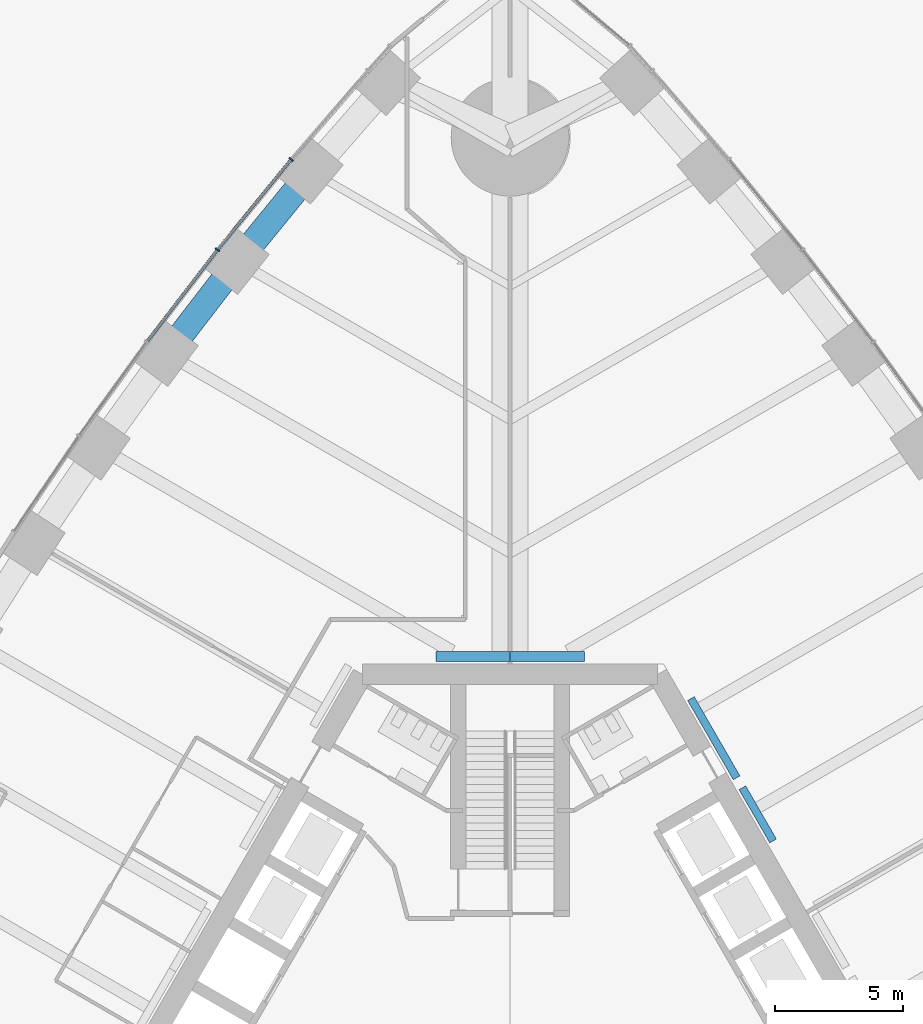
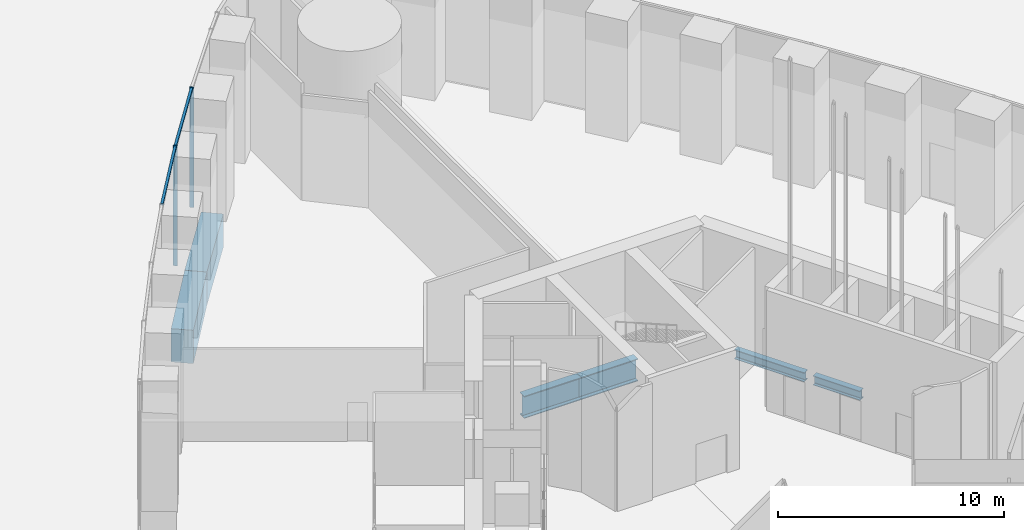
# One storey, part 8 of 43: 6 beams, 4 members, 1 element without a shape of its own.
"""IFC4 building model written with IfcOpenShell, lengths in metres."""

from ifc_helpers import new_model, si_unit, direction, frame, origin, origin_2d, place, context, subcontext, project, spatial, rectangle, i_section, extrude, material, material_profile, profile_set, type_object, element, aggregate, save


model = new_model("IFC4")

# Units and contexts
model_context = context("Model", 3, precision=1e-05, world=origin(), true_north=direction((0.0, 1.0)))
body_context = subcontext(model_context, "Body", "Model", "MODEL_VIEW")
ifc_project = project(units=[si_unit("LENGTHUNIT", "METRE"), si_unit("AREAUNIT", "SQUARE_METRE"), si_unit("VOLUMEUNIT", "CUBIC_METRE"), si_unit("PLANEANGLEUNIT", "RADIAN"), si_unit("MASSUNIT", "GRAM", prefix="KILO")], contexts=[model_context])

# Site, building, storey
site_placement = place(None, origin())
site = spatial("IfcSite", under=ifc_project, at=site_placement, CompositionType="ELEMENT")
building_placement = place(site_placement, origin())
building = spatial("IfcBuilding", under=site, at=building_placement, Name="Trefoil Bronze Tower", CompositionType="ELEMENT")
storey_placement = place(building_placement, origin())
storey = spatial("IfcBuildingStorey", under=building, at=storey_placement, Name="L00", CompositionType="ELEMENT", Elevation=0.0)

# Curtain wall, members
ifc_material_1 = material(Name="Tinted solar-control glass", Category="glass")
curtain_wall_type = type_object("IfcCurtainWallType", Name="Bronze podium storefront curtain wall", PredefinedType="USERDEFINED", material=ifc_material_1)
curtain_wall_placement = place(storey_placement, origin())
curtain_wall = element("IfcCurtainWall", 1, at=curtain_wall_placement, inside=storey, type_object=curtain_wall_type, Name="CW-C L00 F3 run 1", ObjectType="CURTAIN WALL", PredefinedType="USERDEFINED")
ifc_material_2 = material(Name="Bronze-finish aluminium", Category="aluminium")
ifc_material_profile_1 = material_profile(ifc_material_2, rectangle(XDim=0.199951171875, YDim=0.06005859375, at=origin_2d()), Name="CW-C mullion")
ifc_profile_set_1 = profile_set([ifc_material_profile_1], Name="Bronze-finish aluminium")
member_type_1 = type_object("IfcMemberType", Name="Bronze podium storefront curtain wall mullion", PredefinedType="MULLION", material=ifc_profile_set_1)
member_1_placement = place(storey_placement, frame((-8.556640625, 36.13720703125, 0.0), z_axis=(0.0, 0.0, 1.0), x_axis=(0.765729101889, -0.643163231629, 0.0)))
member_1 = element("IfcMember", 2, at=member_1_placement, type_object=member_type_1, Name="CW-C L00 F3 run 1 mullion 3", PredefinedType="MULLION", context=body_context, shape_type="SweptSolid", body=[
    extrude(rectangle(XDim=0.199951171875, YDim=0.06005859375, at=origin_2d()), origin(), (0.0, 0.0, 1.0), 6.47998046875),
])
member_2_placement = place(storey_placement, frame((-11.4384765625, 32.6015625, 0.0), z_axis=(0.0, 0.0, 1.0), x_axis=(0.784304615744, -0.620375910011, 0.0)))
member_2 = element("IfcMember", 3, at=member_2_placement, type_object=member_type_1, Name="CW-C L00 F3 run 1 mullion 4", PredefinedType="MULLION", context=body_context, shape_type="SweptSolid", body=[
    extrude(rectangle(XDim=0.199951171875, YDim=0.06005859375, at=origin_2d()), origin(), (0.0, 0.0, 1.0), 6.47998046875),
])
ifc_material_3 = material(Name="Bronze-finish aluminium", Category="aluminium")
ifc_material_profile_2 = material_profile(ifc_material_3, rectangle(XDim=0.1201171875, YDim=0.10009765625, at=origin_2d()), Name="CW-C transom")
ifc_profile_set_2 = profile_set([ifc_material_profile_2], Name="Bronze-finish aluminium")
member_type_2 = type_object("IfcMemberType", Name="Bronze podium storefront curtain wall transom", PredefinedType="USERDEFINED", material=ifc_profile_set_2)
member_3_placement = place(storey_placement, frame((-8.576416015625, 36.11279296875, 6.429931640625), z_axis=(-0.631829981334, -0.77510700854, 0.0), x_axis=(0.77510700854, -0.631829981334, 0.0)))
member_3 = element("IfcMember", 4, at=member_3_placement, type_object=member_type_2, Name="CW-C L00 F3 run 1 transom 3", ObjectType="TRANSOM", PredefinedType="USERDEFINED", context=body_context, shape_type="SweptSolid", body=[
    extrude(rectangle(XDim=0.1201171875, YDim=0.10009765625, at=origin_2d()), origin(), (0.0, 0.0, 1.0), 4.49853515625),
])
member_4_placement = place(storey_placement, frame((-11.457763671875, 32.57666015625, 6.429931640625), z_axis=(-0.608806818405, -0.79331850972, 0.0), x_axis=(0.79331850972, -0.608806818405, 0.0)))
member_4 = element("IfcMember", 5, at=member_4_placement, type_object=member_type_2, Name="CW-C L00 F3 run 1 transom 4", ObjectType="TRANSOM", PredefinedType="USERDEFINED", context=body_context, shape_type="SweptSolid", body=[
    extrude(rectangle(XDim=0.1201171875, YDim=0.10009765625, at=origin_2d()), origin(), (0.0, 0.0, 1.0), 4.47900390625),
])
aggregate(curtain_wall, [member_1, member_2, member_3, member_4])

# Beams
ifc_material_4 = material(Name="Steel C355", Category="steel")
ifc_material_profile_3 = material_profile(ifc_material_4, i_section(OverallWidth=0.300048828125, OverallDepth=0.5, WebThickness=0.014404296875, FlangeThickness=0.028076171875, FilletRadius=0.027099609375, at=origin_2d()), Name="HEB 500")
ifc_profile_set_3 = profile_set([ifc_material_profile_3], Name="Steel C355")
beam_type_1 = type_object("IfcBeamType", Name="Core seat beam HEB 500", PredefinedType="BEAM", material=ifc_profile_set_3)
beam_1_placement = place(storey_placement, frame((10.28369140625, 9.488037109375, -0.550048828125), z_axis=(-0.500001309137, 0.866024647952, 0.0), x_axis=(-0.866024647952, -0.500001309137, 0.0)))
element("IfcBeam", 6, at=beam_1_placement, inside=storey, type_object=beam_type_1, Name="Core seat beam F2/+1 L00", PredefinedType="BEAM", context=body_context, shape_type="SweptSolid", body=[
    extrude(i_section(OverallWidth=0.300048828125, OverallDepth=0.5, WebThickness=0.014404296875, FlangeThickness=0.028076171875, FilletRadius=0.027099609375, at=origin_2d()), origin(), (0.0, 0.0, 1.0), 2.39990234375),
])
beam_2_placement = place(storey_placement, frame((8.858642578125, 11.956298828125, -0.550048828125), z_axis=(-0.499980599405, 0.866036604433, 0.0), x_axis=(-0.866036604433, -0.499980599405, 0.0)))
element("IfcBeam", 7, at=beam_2_placement, inside=storey, type_object=beam_type_1, Name="Core seat beam F2/+2 L00", PredefinedType="BEAM", context=body_context, shape_type="SweptSolid", body=[
    extrude(i_section(OverallWidth=0.300048828125, OverallDepth=0.5, WebThickness=0.014404296875, FlangeThickness=0.028076171875, FilletRadius=0.027099609375, at=origin_2d()), origin(), (0.0, 0.0, 1.0), 3.574951171875),
])
ifc_material_5 = material(Name="Steel C355", Category="steel")
ifc_material_profile_4 = material_profile(ifc_material_5, i_section(OverallWidth=0.39990234375, OverallDepth=1.199951171875, WebThickness=0.02001953125, FlangeThickness=0.0400390625, FilletRadius=0.010009765625, at=origin_2d()), Name="WPG 1200")
ifc_profile_set_4 = profile_set([ifc_material_profile_4], Name="Steel C355")
beam_type_2 = type_object("IfcBeamType", Name="Core seat beam WPG 1200", PredefinedType="BEAM", material=ifc_profile_set_4)
for number, where, z_axis, x_axis, name in (
    (8, (2.901123046875, 16.699951171875, -0.89990234375), (-1.0, 0.0, 0.0), (0.0, -1.0, 0.0), "Core seat beam F2/+3 L00"),
    (9, (0.0, 16.699951171875, -0.89990234375), (-1.0, 0.0, 0.0), (0.0, -1.0, 0.0), "Core seat beam F3/-3 L00"),
):
    element("IfcBeam", number, at=place(storey_placement, frame(where, z_axis=z_axis, x_axis=x_axis)), inside=storey, type_object=beam_type_2, Name=name, PredefinedType="BEAM", context=body_context, shape_type="SweptSolid", body=[
        extrude(i_section(OverallWidth=0.39990234375, OverallDepth=1.199951171875, WebThickness=0.02001953125, FlangeThickness=0.0400390625, FilletRadius=0.010009765625, at=origin_2d()), origin(), (0.0, 0.0, 1.0), 2.901123046875),
    ])
ifc_material_6 = material(Name="Concrete B80", Category="concrete")
ifc_material_profile_5 = material_profile(ifc_material_6, rectangle(XDim=1.0, YDim=1.800048828125, at=origin_2d()), Name="RC 1000x1800")
ifc_profile_set_5 = profile_set([ifc_material_profile_5], Name="Concrete B80")
beam_type_3 = type_object("IfcBeamType", Name="Spandrel beam RC 1000x1800", PredefinedType="SPANDREL", material=ifc_profile_set_5)
beam_3_placement = place(storey_placement, frame((-7.7763671875, 35.666748046875, -1.199951171875), z_axis=(-0.632467643363, -0.774586780225, 0.0), x_axis=(0.774586780225, -0.632467643363, 0.0)))
element("IfcBeam", 10, at=beam_3_placement, inside=storey, type_object=beam_type_3, Name="Spandrel F3.3 L00", PredefinedType="SPANDREL", context=body_context, shape_type="SweptSolid", body=[
    extrude(rectangle(XDim=1.0, YDim=1.800048828125, at=origin_2d()), origin(), (0.0, 0.0, 1.0), 4.55908203125),
])
beam_4_placement = place(storey_placement, frame((-10.659912109375, 32.13525390625, -1.199951171875), z_axis=(-0.609338992146, -0.792909826305, 0.0), x_axis=(0.792909826305, -0.609338992146, 0.0)))
element("IfcBeam", 11, at=beam_4_placement, inside=storey, type_object=beam_type_3, Name="Spandrel F3.4 L00", PredefinedType="SPANDREL", context=body_context, shape_type="SweptSolid", body=[
    extrude(rectangle(XDim=1.0, YDim=1.800048828125, at=origin_2d()), origin(), (0.0, 0.0, 1.0), 4.5390625),
])

save(model, "model.ifc")
